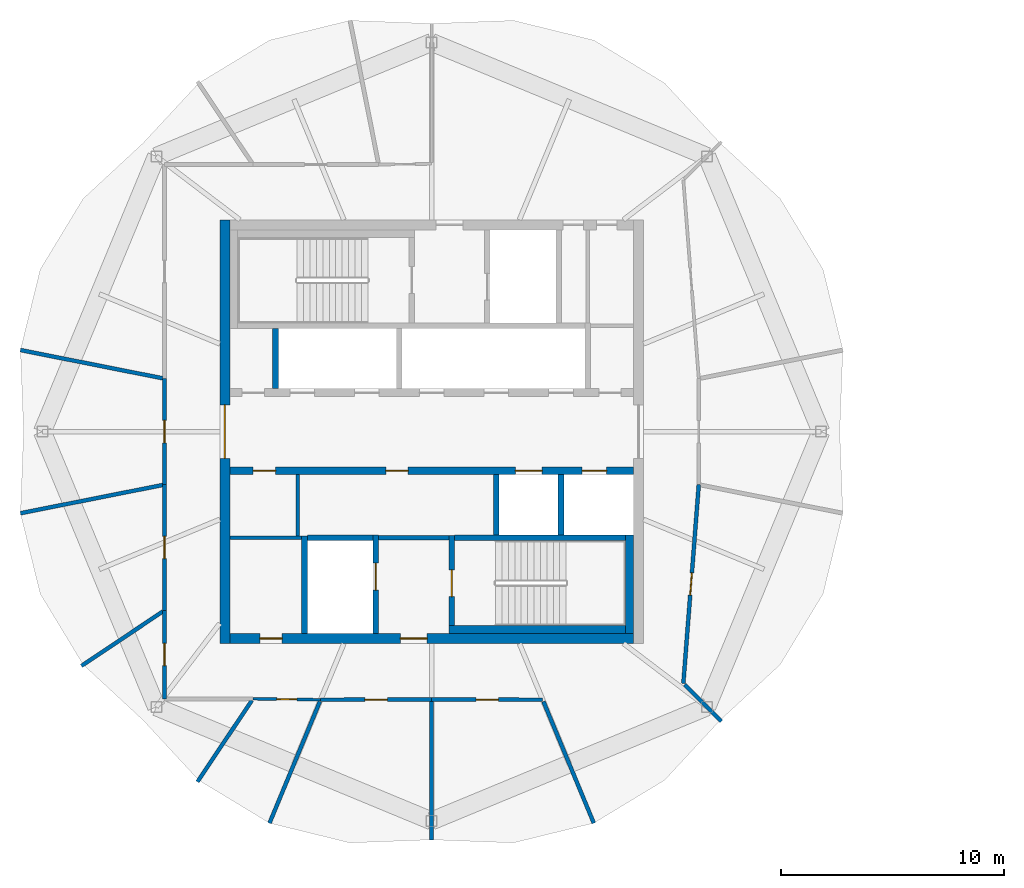
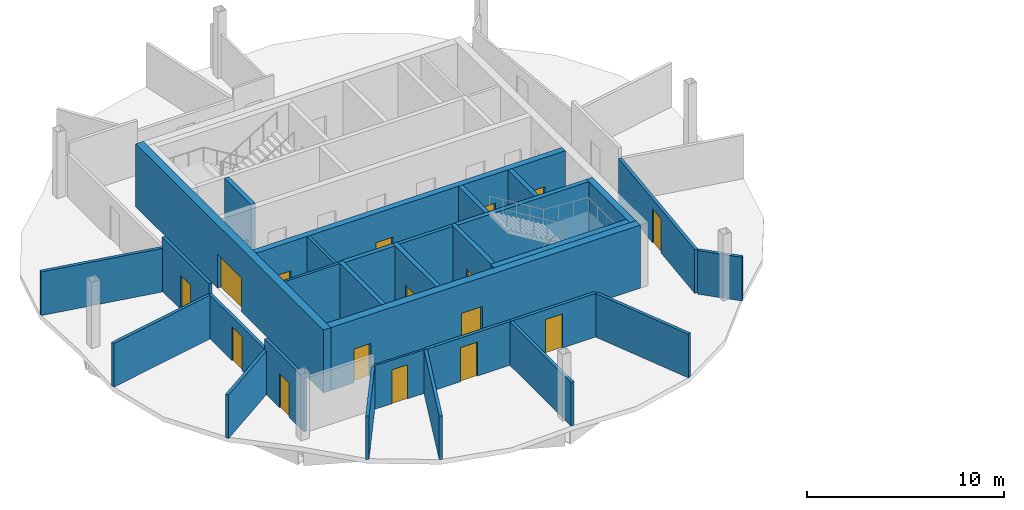
# One storey, part 5 of 11: 31 walls, 16 doors, 16 openings.
"""IFC4 building model written with IfcOpenShell, lengths in metres."""

import ifcopenshell
import ifcopenshell.guid

model = None  # the IFC model being written
_history = None  # IfcOwnerHistory: only IFC2X3 demands one
_inside = {}  # id of a spatial element -> (the spatial element, [elements in it])
_under = {}  # id of a project, library or spatial element -> (it, [spatial elements below it])
_declared = {}  # id of a project -> (the project, [libraries it declares])
_typed = {}  # id of a type object -> (the type object, [elements of that type])
_made_of = {}  # id of a material, layer set ... -> (it, [elements and type objects made of it])


def new_model(schema):
    """Start an empty IFC model of exactly this schema.

    Asked for "IFC4X3", IfcOpenShell would pick the latest addendum, in which some entities
    have other attributes; the version numbers below select the first issue.
    IFC2X3 requires an IfcOwnerHistory on every rooted entity: one is made here for all.
    """
    global model, _history
    if schema == "IFC4X3":
        model = ifcopenshell.file(schema_version=(4, 3, 0, 0))
    else:
        model = ifcopenshell.file(schema=schema)
    _inside.clear()
    _under.clear()
    _declared.clear()
    _typed.clear()
    _made_of.clear()
    _history = None
    if model.schema == "IFC2X3":
        org = make("IfcOrganization", Name="unknown")
        user = make(
            "IfcPersonAndOrganization",
            ThePerson=make("IfcPerson", FamilyName="unknown"),
            TheOrganization=org,
        )
        app = make(
            "IfcApplication",
            ApplicationDeveloper=org,
            Version="unknown",
            ApplicationFullName="unknown",
            ApplicationIdentifier="unknown",
        )
        _history = make(
            "IfcOwnerHistory",
            OwningUser=user,
            OwningApplication=app,
            ChangeAction="ADDED",
            CreationDate=0,
        )
    return model


def make(cls, **values):
    """One entity of the class cls with the attributes given. An attribute that is None is left unset."""
    return model.create_entity(
        cls, **{name: value for name, value in values.items() if value is not None}
    )


def rooted(cls, **values):
    """An entity with a GlobalId (a new one), such as an element, a storey or a relation."""
    return make(cls, GlobalId=ifcopenshell.guid.new(), OwnerHistory=_history, **values)


def si_unit(unit_type, name, prefix=None):
    """IfcSIUnit, for example si_unit("LENGTHUNIT", "METRE", prefix="MILLI")."""
    return make("IfcSIUnit", UnitType=unit_type, Prefix=prefix, Name=name)


def assignment(units):
    """IfcUnitAssignment: the units of a project."""
    return None if units is None else make("IfcUnitAssignment", Units=units)


def point(xyz):
    """IfcCartesianPoint."""
    return None if xyz is None else make("IfcCartesianPoint", Coordinates=xyz)


def direction(xyz):
    """IfcDirection."""
    return None if xyz is None else make("IfcDirection", DirectionRatios=xyz)


def frame(location, z_axis=None, x_axis=None):
    """IfcAxis2Placement3D, a coordinate frame: its origin and axes. An axis left out is left unset."""
    return make(
        "IfcAxis2Placement3D",
        Location=point(location),
        Axis=direction(z_axis),
        RefDirection=direction(x_axis),
    )


def frame_2d(location, x_axis=None):
    """IfcAxis2Placement2D, a coordinate frame in the plane: its origin and x axis."""
    return make(
        "IfcAxis2Placement2D", Location=point(location), RefDirection=direction(x_axis)
    )


def origin():
    """The frame at (0, 0, 0) with its axes left unset."""
    return frame((0.0, 0.0, 0.0))


def place(relative_to, where):
    """IfcLocalPlacement: puts the frame where relative to a parent placement (None: the world)."""
    return make(
        "IfcLocalPlacement", PlacementRelTo=relative_to, RelativePlacement=where
    )


def context(
    kind, dimensions, precision=None, world=None, true_north=None, identifier=None
):
    """IfcGeometricRepresentationContext, for example the 3D "Model" context."""
    return make(
        "IfcGeometricRepresentationContext",
        ContextIdentifier=identifier,
        ContextType=kind,
        CoordinateSpaceDimension=dimensions,
        Precision=precision,
        WorldCoordinateSystem=world,
        TrueNorth=true_north,
    )


def subcontext(parent, identifier, kind, view, scale=None):
    """IfcGeometricRepresentationSubContext, for example "Body" below "Model"."""
    return make(
        "IfcGeometricRepresentationSubContext",
        ContextIdentifier=identifier,
        ContextType=kind,
        ParentContext=parent,
        TargetScale=scale,
        TargetView=view,
    )


def project(units=None, contexts=None):
    """IfcProject with its units and contexts."""
    return rooted(
        "IfcProject",
        Name="project",
        RepresentationContexts=contexts,
        UnitsInContext=assignment(units),
    )


def spatial(cls, under=None, at=None, **own):
    """A site, building, storey or space (cls), placed at a placement, below another one or the project."""
    s = rooted(cls, ObjectPlacement=at, **own)
    if under is not None:
        _under.setdefault(under.id(), (under, []))[1].append(s)
    return s


def profile(cls, at=None, kind="AREA", **sizes):
    """A parametric profile (cls). Its sizes go by their IFC names, for example OverallWidth=200.0."""
    return make(cls, ProfileType=kind, Position=at, **sizes)


def rectangle(**sizes):
    """IfcRectangleProfileDef."""
    return profile("IfcRectangleProfileDef", **sizes)


def extrude(swept, where, along, depth):
    """IfcExtrudedAreaSolid: the profile swept, set in the frame where, extruded along a direction by depth."""
    return make(
        "IfcExtrudedAreaSolid",
        SweptArea=swept,
        Position=where,
        ExtrudedDirection=direction(along),
        Depth=depth,
    )


def shape(context_of_items, identifier, shape_type, items):
    """IfcShapeRepresentation: the items that make up one representation, for example the "Body"."""
    return make(
        "IfcShapeRepresentation",
        ContextOfItems=context_of_items,
        RepresentationIdentifier=identifier,
        RepresentationType=shape_type,
        Items=items,
    )


def material(Name=None, Category=None):
    """IfcMaterial."""
    return make("IfcMaterial", Name=Name, Category=Category)


def layer(
    of_material, thickness, ventilated=None, Name=None, Category=None, Priority=None
):
    """IfcMaterialLayer: one layer of a wall or slab, of a material (None: an air gap)."""
    return make(
        "IfcMaterialLayer",
        Material=of_material,
        LayerThickness=thickness,
        IsVentilated=ventilated,
        Name=Name,
        Category=Category,
        Priority=Priority,
    )


def layer_set(layers, Name=None):
    """IfcMaterialLayerSet."""
    return make("IfcMaterialLayerSet", MaterialLayers=layers, LayerSetName=Name)


def made_of(thing, what):
    """Note that an element or type object is made of a material, layer set ...; save() writes the relation."""
    if what is not None:
        _made_of.setdefault(what.id(), (what, []))[1].append(thing)
    return thing


def type_object(cls, material=None, **own):
    """A type object (cls), such as IfcWallType, which elements share."""
    return made_of(rooted(cls, **own), material)


def element(
    cls,
    number,
    at=None,
    inside=None,
    cuts=None,
    type_object=None,
    material=None,
    context=None,
    identifier="Body",
    shape_type=None,
    held_by="IfcProductDefinitionShape",
    body=None,
    shapes=None,
    **own,
):
    """One element of the class cls, such as IfcWall. Its Tag is "e" and its number.

    at: its placement. inside: the storey or other place that contains it. cuts: it is an
    opening in that element (IfcRelVoidsElement). A single representation is given by context,
    identifier, shape_type and body (its items); several are given by shapes. held_by: the class
    of the entity that holds the representations. save() writes the other relations.
    """
    e = rooted(cls, Tag="e%d" % number, ObjectPlacement=at, **own)
    if body is not None:
        shapes = [shape(context, identifier, shape_type, body)]
    if shapes is not None:
        e.Representation = make(held_by, Representations=shapes)
    if inside is not None:
        _inside.setdefault(inside.id(), (inside, []))[1].append(e)
    if cuts is not None:
        rooted(
            "IfcRelVoidsElement", RelatingBuildingElement=cuts, RelatedOpeningElement=e
        )
    if type_object is not None:
        _typed.setdefault(type_object.id(), (type_object, []))[1].append(e)
    return made_of(e, material)


def fill(opening, filler):
    """IfcRelFillsElement: the door or window that sits in an opening."""
    return rooted(
        "IfcRelFillsElement",
        RelatingOpeningElement=opening,
        RelatedBuildingElement=filler,
    )


def aggregate(whole, parts):
    """IfcRelAggregates: a whole, such as a stair, and the parts it consists of."""
    return rooted("IfcRelAggregates", RelatingObject=whole, RelatedObjects=parts)


def save(model, path):
    """Write the relations noted so far, then the file.

    IfcRelAggregates (storeys below a building ...), IfcRelContainedInSpatialStructure (elements
    in a storey), IfcRelDefinesByType, IfcRelAssociatesMaterial and IfcRelDeclares: one each for
    every whole, place, type object, material and project.
    """
    for whole, parts in _under.values():
        aggregate(whole, parts)
    for where, things in _inside.values():
        rooted(
            "IfcRelContainedInSpatialStructure",
            RelatedElements=things,
            RelatingStructure=where,
        )
    for kind, things in _typed.values():
        rooted("IfcRelDefinesByType", RelatedObjects=things, RelatingType=kind)
    for what, things in _made_of.values():
        rooted("IfcRelAssociatesMaterial", RelatedObjects=things, RelatingMaterial=what)
    for by, libraries in _declared.values():
        rooted("IfcRelDeclares", RelatingContext=by, RelatedDefinitions=libraries)
    model.write(path)


model = new_model("IFC4")

# Units and contexts
model_context = context("Model", 3, precision=1e-05, world=origin(), true_north=direction((0.0, 1.0)))
body_context = subcontext(model_context, "Body", "Model", "MODEL_VIEW")
ifc_project = project(units=[si_unit("LENGTHUNIT", "METRE"), si_unit("AREAUNIT", "SQUARE_METRE"), si_unit("VOLUMEUNIT", "CUBIC_METRE"), si_unit("PLANEANGLEUNIT", "RADIAN"), si_unit("MASSUNIT", "GRAM", prefix="KILO")], contexts=[model_context])

# Site, building, storey
site_placement = place(None, origin())
site = spatial("IfcSite", under=ifc_project, at=site_placement, CompositionType="ELEMENT")
building_placement = place(site_placement, origin())
building = spatial("IfcBuilding", under=site, at=building_placement, Name="Ogive Gate Towers", CompositionType="ELEMENT")
storey_placement = place(building_placement, frame((0.0, 0.0, 289.800048828125)))
storey = spatial("IfcBuildingStorey", under=building, at=storey_placement, Name="L68", CompositionType="ELEMENT", Elevation=289.800048828125)

# Walls
ifc_material_1 = material(Name="Gypsum board acoustic partition")
ifc_layer_1 = layer(ifc_material_1, 0.175048828125)
ifc_layer_set_1 = layer_set([ifc_layer_1], Name="Acoustic partition 175")
wall_type_1 = type_object("IfcWallType", Name="Acoustic partition 175", PredefinedType="PARTITIONING", material=ifc_layer_set_1)
for number, where, z_axis, x_axis, name in (
    (1, (-54.440185546875, 3.658203125, 0.0), (0.0, 0.0, 1.0), (0.980884237162, -0.1945921717, 0.0), "Partition T1-L68-006"),
    (2, (-54.440185546875, -3.658203125, 0.0), (0.0, 0.0, 1.0), (0.980884237162, 0.1945921717, 0.0), "Partition T1-L68-007"),
):
    element("IfcWall", number, at=place(storey_placement, frame(where, z_axis=z_axis, x_axis=x_axis)), inside=storey, type_object=wall_type_1, Name=name, PredefinedType="PARTITIONING", context=body_context, shape_type="SweptSolid", body=[
        extrude(rectangle(XDim=6.50146484375, YDim=0.175048828125, at=frame_2d((3.250732421875, 0.0))), origin(), (0.0, 0.0, 1.0), 2.699951171875),
    ])
for number, where, z_axis, x_axis, name in (
    (3, (-51.700439453125, -10.502197265625, 0.0), (0.0, 0.0, 1.0), (0.831193947299, 0.555982573444, 0.0), "Partition T1-L68-008"),
    (4, (-46.502197265625, -15.700439453125, 0.0), (0.0, 0.0, 1.0), (0.555982573444, 0.831193947299, 0.0), "Partition T1-L68-009"),
):
    element("IfcWall", number, at=place(storey_placement, frame(where, z_axis=z_axis, x_axis=x_axis)), inside=storey, type_object=wall_type_1, Name=name, PredefinedType="PARTITIONING", context=body_context, shape_type="SweptSolid", body=[
        extrude(rectangle(XDim=4.39111328125, YDim=0.175048828125, at=frame_2d((2.195556640625, 0.0))), origin(), (0.0, 0.0, 1.0), 2.699951171875),
    ])
wall_1_placement = place(storey_placement, frame((-43.27099609375, -17.553955078125, 0.0), z_axis=(0.0, 0.0, 1.0), x_axis=(0.382661134108, 0.923888768436, 0.0)))
element("IfcWall", 5, at=wall_1_placement, inside=storey, type_object=wall_type_1, Name="Partition T1-L68-010", PredefinedType="PARTITIONING", context=body_context, shape_type="SweptSolid", body=[
    extrude(rectangle(XDim=5.901611328125, YDim=0.175048828125, at=frame_2d((2.95068359375, 0.0))), origin(), (0.0, 0.0, 1.0), 2.699951171875),
])
wall_2_placement = place(storey_placement, frame((-36.0, -18.299072265625, 0.0), z_axis=(0.0, 0.0, 1.0), x_axis=(0.0, 1.0, 0.0)))
element("IfcWall", 6, at=wall_2_placement, inside=storey, type_object=wall_type_1, Name="Partition T1-L68-011", PredefinedType="PARTITIONING", context=body_context, shape_type="SweptSolid", body=[
    extrude(rectangle(XDim=6.201416015625, YDim=0.175048828125, at=frame_2d((3.1005859375, 0.0))), origin(), (0.0, 0.0, 1.0), 2.699951171875),
])
wall_3_placement = place(storey_placement, frame((-28.72900390625, -17.553955078125, 0.0), z_axis=(0.0, 0.0, 1.0), x_axis=(-0.382661134108, 0.923888768436, 0.0)))
element("IfcWall", 7, at=wall_3_placement, inside=storey, type_object=wall_type_1, Name="Partition T1-L68-012", PredefinedType="PARTITIONING", context=body_context, shape_type="SweptSolid", body=[
    extrude(rectangle(XDim=5.901611328125, YDim=0.175048828125, at=frame_2d((2.95068359375, 0.0))), origin(), (0.0, 0.0, 1.0), 2.699951171875),
])
wall_4_placement = place(storey_placement, frame((-23.005126953125, -12.994873046875, 0.0), z_axis=(0.0, 0.0, 1.0), x_axis=(-0.707106781187, 0.707106781187, 0.0)))
element("IfcWall", 8, at=wall_4_placement, inside=storey, type_object=wall_type_1, Name="Partition T1-L68-013", PredefinedType="PARTITIONING", context=body_context, shape_type="SweptSolid", body=[
    extrude(rectangle(XDim=2.329833984375, YDim=0.175048828125, at=frame_2d((1.1650390625, 0.0))), origin(), (0.0, 0.0, 1.0), 2.699951171875),
])

# Wall, opening, door
wall_5_placement = place(storey_placement, frame((-40.979248046875, -12.020751953125, 0.0), z_axis=(0.0, 0.0, 1.0), x_axis=(0.999997672839, 0.002157386497, 0.0)))
wall_5 = element("IfcWall", 9, at=wall_5_placement, inside=storey, type_object=wall_type_1, Name="Partition T1-L68-016", PredefinedType="PARTITIONING", context=body_context, shape_type="SweptSolid", body=[
    extrude(rectangle(XDim=4.979248046875, YDim=0.175048828125, at=frame_2d((2.48974609375, 0.0))), origin(), (0.0, 0.0, 1.0), 2.699951171875),
])
opening_1_placement = place(wall_5_placement, frame((1.989990234375, 0.0, 0.0)))
opening_1 = element("IfcOpeningElement", 10, at=opening_1_placement, cuts=wall_5, Name="Opening T1-L68-D02", PredefinedType="OPENING", context=body_context, shape_type="SweptSolid", body=[
    extrude(rectangle(XDim=1.0, YDim=2.10009765625, at=frame_2d((0.5, 1.050048828125))), frame((0.0, 0.09765625, 0.0), z_axis=(0.0, -1.0, 0.0), x_axis=(1.0, 0.0, 0.0)), (0.0, 0.0, 1.0), 0.195068359375),
])
ifc_material_2 = material(Name="Timber door", Category="wood")
door_type_1 = type_object("IfcDoorType", Name="Door 1000", OperationType="NOTDEFINED", PredefinedType="DOOR", material=ifc_material_2)
door_1_placement = place(opening_1_placement, origin())
door_1 = element("IfcDoor", 11, at=door_1_placement, inside=storey, type_object=door_type_1, Name="Door T1-L68-D02", OperationType="SINGLE_SWING_LEFT", OverallHeight=2.10009765625, OverallWidth=1.0, PredefinedType="DOOR", context=body_context, shape_type="SweptSolid", body=[
    extrude(rectangle(XDim=1.0, YDim=2.10009765625, at=frame_2d((0.5, 1.050048828125))), frame((0.0, 0.02490234375, 0.0), z_axis=(0.0, -1.0, 0.0), x_axis=(1.0, 0.0, 0.0)), (0.0, 0.0, 1.0), 0.050048828125),
])
fill(opening_1, door_1)

wall_6_placement = place(storey_placement, frame((-36.0, -12.010009765625, 0.0), z_axis=(0.0, 0.0, 1.0), x_axis=(0.999997672839, -0.002157386497, 0.0)))
wall_6 = element("IfcWall", 12, at=wall_6_placement, inside=storey, type_object=wall_type_1, Name="Partition T1-L68-017", PredefinedType="PARTITIONING", context=body_context, shape_type="SweptSolid", body=[
    extrude(rectangle(XDim=4.979248046875, YDim=0.175048828125, at=frame_2d((2.48974609375, 0.0))), origin(), (0.0, 0.0, 1.0), 2.699951171875),
])
opening_2_placement = place(wall_6_placement, frame((1.989990234375, 0.0, 0.0)))
opening_2 = element("IfcOpeningElement", 13, at=opening_2_placement, cuts=wall_6, Name="Opening T1-L68-D03", PredefinedType="OPENING", context=body_context, shape_type="SweptSolid", body=[
    extrude(rectangle(XDim=1.0, YDim=2.10009765625, at=frame_2d((0.5, 1.050048828125))), frame((0.0, 0.09765625, 0.0), z_axis=(0.0, -1.0, 0.0), x_axis=(1.0, 0.0, 0.0)), (0.0, 0.0, 1.0), 0.195068359375),
])
door_2_placement = place(opening_2_placement, origin())
door_2 = element("IfcDoor", 14, at=door_2_placement, inside=storey, type_object=door_type_1, Name="Door T1-L68-D03", OperationType="SINGLE_SWING_RIGHT", OverallHeight=2.10009765625, OverallWidth=1.0, PredefinedType="DOOR", context=body_context, shape_type="SweptSolid", body=[
    extrude(rectangle(XDim=1.0, YDim=2.10009765625, at=frame_2d((0.5, 1.050048828125))), frame((0.0, 0.02490234375, 0.0), z_axis=(0.0, -1.0, 0.0), x_axis=(1.0, 0.0, 0.0)), (0.0, 0.0, 1.0), 0.050048828125),
])
fill(opening_2, door_2)

wall_7_placement = place(storey_placement, frame((-24.714599609375, -11.285400390625, 0.0), z_axis=(0.0, 0.0, 1.0), x_axis=(0.077400559518, 0.997000076924, 0.0)))
wall_7 = element("IfcWall", 15, at=wall_7_placement, inside=storey, type_object=wall_type_1, Name="Partition T1-L68-018", PredefinedType="PARTITIONING", context=body_context, shape_type="SweptSolid", body=[
    extrude(rectangle(XDim=8.93603515625, YDim=0.175048828125, at=frame_2d((4.468017578125, 0.0))), origin(), (0.0, 0.0, 1.0), 2.699951171875),
])
opening_3_placement = place(wall_7_placement, frame((3.968017578125, 0.0, 0.0)))
opening_3 = element("IfcOpeningElement", 16, at=opening_3_placement, cuts=wall_7, Name="Opening T1-L68-D04", PredefinedType="OPENING", context=body_context, shape_type="SweptSolid", body=[
    extrude(rectangle(XDim=1.0, YDim=2.10009765625, at=frame_2d((0.5, 1.050048828125))), frame((0.0, 0.09765625, 0.0), z_axis=(0.0, -1.0, 0.0), x_axis=(1.0, 0.0, 0.0)), (0.0, 0.0, 1.0), 0.195068359375),
])
door_3_placement = place(opening_3_placement, origin())
door_3 = element("IfcDoor", 17, at=door_3_placement, inside=storey, type_object=door_type_1, Name="Door T1-L68-D04", OperationType="SINGLE_SWING_LEFT", OverallHeight=2.10009765625, OverallWidth=1.0, PredefinedType="DOOR", context=body_context, shape_type="SweptSolid", body=[
    extrude(rectangle(XDim=1.0, YDim=2.10009765625, at=frame_2d((0.5, 1.050048828125))), frame((0.0, 0.02490234375, 0.0), z_axis=(0.0, -1.0, 0.0), x_axis=(1.0, 0.0, 0.0)), (0.0, 0.0, 1.0), 0.050048828125),
])
fill(opening_3, door_3)

wall_8_placement = place(storey_placement, frame((-47.97705078125, 2.376220703125, 0.0), z_axis=(0.0, 0.0, 1.0), x_axis=(0.0, -1.0, 0.0)))
wall_8 = element("IfcWall", 18, at=wall_8_placement, inside=storey, type_object=wall_type_1, Name="Partition T1-L68-025", PredefinedType="PARTITIONING", context=body_context, shape_type="SweptSolid", body=[
    extrude(rectangle(XDim=4.75244140625, YDim=0.175048828125, at=frame_2d((2.376220703125, 0.0))), origin(), (0.0, 0.0, 1.0), 3.349853515625),
])
opening_4_placement = place(wall_8_placement, frame((1.8759765625, 0.0, 0.0)))
opening_4 = element("IfcOpeningElement", 19, at=opening_4_placement, cuts=wall_8, Name="Opening T1-L68-D10", PredefinedType="OPENING", context=body_context, shape_type="SweptSolid", body=[
    extrude(rectangle(XDim=1.0, YDim=2.10009765625, at=frame_2d((0.5, 1.050048828125))), frame((0.0, 0.09765625, 0.0), z_axis=(0.0, -1.0, 0.0), x_axis=(1.0, 0.0, 0.0)), (0.0, 0.0, 1.0), 0.195068359375),
])
door_4_placement = place(opening_4_placement, origin())
door_4 = element("IfcDoor", 20, at=door_4_placement, inside=storey, type_object=door_type_1, Name="Door T1-L68-D10", OperationType="SINGLE_SWING_LEFT", OverallHeight=2.10009765625, OverallWidth=1.0, PredefinedType="DOOR", context=body_context, shape_type="SweptSolid", body=[
    extrude(rectangle(XDim=1.0, YDim=2.10009765625, at=frame_2d((0.5, 1.050048828125))), frame((0.0, 0.02490234375, 0.0), z_axis=(0.0, -1.0, 0.0), x_axis=(1.0, 0.0, 0.0)), (0.0, 0.0, 1.0), 0.050048828125),
])
fill(opening_4, door_4)

wall_9_placement = place(storey_placement, frame((-47.97705078125, -2.376220703125, 0.0), z_axis=(0.0, 0.0, 1.0), x_axis=(-0.000129954515, -0.999999991556, 0.0)))
wall_9 = element("IfcWall", 21, at=wall_9_placement, inside=storey, type_object=wall_type_1, Name="Partition T1-L68-026", PredefinedType="PARTITIONING", context=body_context, shape_type="SweptSolid", body=[
    extrude(rectangle(XDim=5.635986328125, YDim=0.175048828125, at=frame_2d((2.81787109375, 0.0))), origin(), (0.0, 0.0, 1.0), 2.699951171875),
])
opening_5_placement = place(wall_9_placement, frame((2.318115234375, 0.0, 0.0)))
opening_5 = element("IfcOpeningElement", 22, at=opening_5_placement, cuts=wall_9, Name="Opening T1-L68-D11", PredefinedType="OPENING", context=body_context, shape_type="SweptSolid", body=[
    extrude(rectangle(XDim=1.0, YDim=2.10009765625, at=frame_2d((0.5, 1.050048828125))), frame((0.0, 0.09765625, 0.0), z_axis=(0.0, -1.0, 0.0), x_axis=(1.0, 0.0, 0.0)), (0.0, 0.0, 1.0), 0.195068359375),
])
door_5_placement = place(opening_5_placement, origin())
door_5 = element("IfcDoor", 23, at=door_5_placement, inside=storey, type_object=door_type_1, Name="Door T1-L68-D11", OperationType="SINGLE_SWING_RIGHT", OverallHeight=2.10009765625, OverallWidth=1.0, PredefinedType="DOOR", context=body_context, shape_type="SweptSolid", body=[
    extrude(rectangle(XDim=1.0, YDim=2.10009765625, at=frame_2d((0.5, 1.050048828125))), frame((0.0, 0.02490234375, 0.0), z_axis=(0.0, -1.0, 0.0), x_axis=(1.0, 0.0, 0.0)), (0.0, 0.0, 1.0), 0.050048828125),
])
fill(opening_5, door_5)

wall_10_placement = place(storey_placement, frame((-47.977783203125, -8.01220703125, 0.0), z_axis=(0.0, 0.0, 1.0), x_axis=(-0.000553777912, -0.999999846665, 0.0)))
wall_10 = element("IfcWall", 24, at=wall_10_placement, inside=storey, type_object=wall_type_1, Name="Partition T1-L68-027", PredefinedType="PARTITIONING", context=body_context, shape_type="SweptSolid", body=[
    extrude(rectangle(XDim=3.9677734375, YDim=0.175048828125, at=frame_2d((1.98388671875, 0.0))), origin(), (0.0, 0.0, 1.0), 3.349853515625),
])
opening_6_placement = place(wall_10_placement, frame((1.48388671875, 0.0, 0.0)))
opening_6 = element("IfcOpeningElement", 25, at=opening_6_placement, cuts=wall_10, Name="Opening T1-L68-D12", PredefinedType="OPENING", context=body_context, shape_type="SweptSolid", body=[
    extrude(rectangle(XDim=1.0, YDim=2.10009765625, at=frame_2d((0.5, 1.050048828125))), frame((0.0, 0.09765625, 0.0), z_axis=(0.0, -1.0, 0.0), x_axis=(1.0, 0.0, 0.0)), (0.0, 0.0, 1.0), 0.195068359375),
])
door_6_placement = place(opening_6_placement, origin())
door_6 = element("IfcDoor", 26, at=door_6_placement, inside=storey, type_object=door_type_1, Name="Door T1-L68-D12", OperationType="SINGLE_SWING_RIGHT", OverallHeight=2.10009765625, OverallWidth=1.0, PredefinedType="DOOR", context=body_context, shape_type="SweptSolid", body=[
    extrude(rectangle(XDim=1.0, YDim=2.10009765625, at=frame_2d((0.5, 1.050048828125))), frame((0.0, 0.02490234375, 0.0), z_axis=(0.0, -1.0, 0.0), x_axis=(1.0, 0.0, 0.0)), (0.0, 0.0, 1.0), 0.050048828125),
])
fill(opening_6, door_6)

# Wall
ifc_material_3 = material(Name="Masonry blockwork", Category="masonry")
ifc_layer_2 = layer(ifc_material_3, 0.199951171875)
ifc_layer_set_2 = layer_set([ifc_layer_2], Name="Blockwork wall 200 mm")
wall_type_2 = type_object("IfcWallType", Name="Blockwork wall 200 mm", PredefinedType="PARTITIONING", material=ifc_layer_set_2)
wall_11_placement = place(storey_placement, frame((-38.375, -4.75, 0.0), z_axis=(0.0, 0.0, 1.0), x_axis=(1.0, 0.0, 0.0)))
element("IfcWall", 27, at=wall_11_placement, inside=storey, type_object=wall_type_2, Name="T1 L68 Blockwork wall 200 mm", PredefinedType="PARTITIONING", context=body_context, shape_type="SweptSolid", body=[
    extrude(rectangle(XDim=3.14990234375, YDim=0.199951171875, at=frame_2d((1.574951171875, 0.0))), origin(), (0.0, 0.0, 1.0), 3.89990234375),
])

# Wall, openings, doors
ifc_material_4 = material(Name="Concrete C60/75", Category="concrete")
ifc_layer_3 = layer(ifc_material_4, 0.449951171875)
ifc_layer_set_3 = layer_set([ifc_layer_3], Name="Core wall 450 mm")
wall_type_3 = type_object("IfcWallType", Name="Core wall 450 mm", PredefinedType="SHEAR", material=ifc_layer_set_3)
wall_12_placement = place(storey_placement, frame((-45.050048828125, -9.27490234375, 0.0), z_axis=(0.0, 0.0, 1.0), x_axis=(1.0, 0.0, 0.0)))
wall_12 = element("IfcWall", 28, at=wall_12_placement, inside=storey, type_object=wall_type_3, Name="T1 L68 Core wall 450 mm", PredefinedType="SHEAR", context=body_context, shape_type="SweptSolid", body=[
    extrude(rectangle(XDim=18.10009765625, YDim=0.449951171875, at=frame_2d((9.050048828125, 0.0))), origin(), (0.0, 0.0, 1.0), 3.89990234375),
])
opening_7_placement = place(wall_12_placement, frame((7.64990234375, 0.0, 0.0)))
opening_7 = element("IfcOpeningElement", 29, at=opening_7_placement, cuts=wall_12, Name="Opening KD-T1-L68-19", PredefinedType="OPENING", context=body_context, shape_type="SweptSolid", body=[
    extrude(rectangle(XDim=1.199951171875, YDim=2.10009765625, at=frame_2d((0.60009765625, 1.050048828125))), frame((0.0, 0.23486328125, 0.0), z_axis=(0.0, -1.0, 0.0), x_axis=(1.0, 0.0, 0.0)), (0.0, 0.0, 1.0), 0.469970703125),
])
opening_8_placement = place(wall_12_placement, frame((1.35009765625, 0.0, 0.0)))
opening_8 = element("IfcOpeningElement", 30, at=opening_8_placement, cuts=wall_12, Name="Opening KD-T1-L68-22", PredefinedType="OPENING", context=body_context, shape_type="SweptSolid", body=[
    extrude(rectangle(XDim=1.0, YDim=2.10009765625, at=frame_2d((0.5, 1.050048828125))), frame((0.0, 0.23486328125, 0.0), z_axis=(0.0, -1.0, 0.0), x_axis=(1.0, 0.0, 0.0)), (0.0, 0.0, 1.0), 0.469970703125),
])
door_type_2 = type_object("IfcDoorType", Name="Accessible WC door 1000 x 2100", OperationType="NOTDEFINED", PredefinedType="DOOR", material=ifc_material_2)
door_7_placement = place(opening_8_placement, origin())
door_7 = element("IfcDoor", 31, at=door_7_placement, inside=storey, type_object=door_type_2, Name="T1 L68 Core door", OperationType="SINGLE_SWING_LEFT", OverallHeight=2.10009765625, OverallWidth=1.0, PredefinedType="DOOR", context=body_context, shape_type="SweptSolid", body=[
    extrude(rectangle(XDim=1.0, YDim=2.10009765625, at=frame_2d((0.5, 1.050048828125))), frame((0.0, 0.02490234375, 0.0), z_axis=(0.0, -1.0, 0.0), x_axis=(1.0, 0.0, 0.0)), (0.0, 0.0, 1.0), 0.050048828125),
])
fill(opening_8, door_7)
ifc_material_5 = material(Name="Steel fire door", Category="steel")
door_type_3 = type_object("IfcDoorType", Name="Core door FD60S 1200 x 2100", OperationType="NOTDEFINED", PredefinedType="DOOR", material=ifc_material_5)
door_8_placement = place(opening_7_placement, origin())
door_8 = element("IfcDoor", 32, at=door_8_placement, inside=storey, type_object=door_type_3, Name="T1 L68 Fire-fighting lobby door", OperationType="SINGLE_SWING_RIGHT", OverallHeight=2.10009765625, OverallWidth=1.199951171875, PredefinedType="DOOR", context=body_context, shape_type="SweptSolid", body=[
    extrude(rectangle(XDim=1.199951171875, YDim=2.10009765625, at=frame_2d((0.60009765625, 1.050048828125))), frame((0.0, 0.02490234375, 0.0), z_axis=(0.0, -1.0, 0.0), x_axis=(1.0, 0.0, 0.0)), (0.0, 0.0, 1.0), 0.050048828125),
])
fill(opening_7, door_8)

# Wall, opening, door
wall_13_placement = place(storey_placement, frame((-45.27490234375, -9.5, 0.0), z_axis=(0.0, 0.0, 1.0), x_axis=(0.0, 1.0, 0.0)))
wall_13 = element("IfcWall", 33, at=wall_13_placement, inside=storey, type_object=wall_type_3, Name="T1 L68 Core wall 450 mm", PredefinedType="SHEAR", context=body_context, shape_type="SweptSolid", body=[
    extrude(rectangle(XDim=19.0, YDim=0.449951171875, at=frame_2d((9.5, 0.0))), origin(), (0.0, 0.0, 1.0), 3.89990234375),
])
opening_9_placement = place(wall_13_placement, frame((8.300048828125, 0.0, 0.0)))
opening_9 = element("IfcOpeningElement", 34, at=opening_9_placement, cuts=wall_13, Name="Opening KD-T1-L68-01", PredefinedType="OPENING", context=body_context, shape_type="SweptSolid", body=[
    extrude(rectangle(XDim=2.39990234375, YDim=2.10009765625, at=frame_2d((1.199951171875, 1.050048828125))), frame((0.0, 0.23486328125, 0.0), z_axis=(0.0, -1.0, 0.0), x_axis=(1.0, 0.0, 0.0)), (0.0, 0.0, 1.0), 0.469970703125),
])
door_type_4 = type_object("IfcDoorType", Name="Core double door FD60S 2400 x 2100", OperationType="DOUBLE_DOOR_SINGLE_SWING", PredefinedType="DOOR", material=ifc_material_5)
door_9_placement = place(opening_9_placement, origin())
door_9 = element("IfcDoor", 35, at=door_9_placement, inside=storey, type_object=door_type_4, Name="T1 L68 Core door double", OperationType="DOUBLE_DOOR_SINGLE_SWING", OverallHeight=2.10009765625, OverallWidth=2.39990234375, PredefinedType="DOOR", context=body_context, shape_type="SweptSolid", body=[
    extrude(rectangle(XDim=2.39990234375, YDim=2.10009765625, at=frame_2d((1.199951171875, 1.050048828125))), frame((0.0, 0.02490234375, 0.0), z_axis=(0.0, -1.0, 0.0), x_axis=(1.0, 0.0, 0.0)), (0.0, 0.0, 1.0), 0.050048828125),
])
fill(opening_9, door_9)

ifc_material_6 = material(Name="Gypsum board partition")
ifc_layer_4 = layer(ifc_material_6, 0.125)
ifc_layer_set_4 = layer_set([ifc_layer_4], Name="Partition 125")
wall_type_4 = type_object("IfcWallType", Name="Partition 125", PredefinedType="PARTITIONING", material=ifc_layer_set_4)
wall_14_placement = place(storey_placement, frame((-44.01220703125, -11.977783203125, 0.0), z_axis=(0.0, 0.0, 1.0), x_axis=(0.999899659329, -0.014165848832, 0.0)))
wall_14 = element("IfcWall", 36, at=wall_14_placement, inside=storey, type_object=wall_type_4, Name="Partition T1-L68-015", PredefinedType="PARTITIONING", context=body_context, shape_type="SweptSolid", body=[
    extrude(rectangle(XDim=3.033203125, YDim=0.125, at=frame_2d((1.5166015625, 0.0))), origin(), (0.0, 0.0, 1.0), 2.699951171875),
])
opening_10_placement = place(wall_14_placement, frame((1.06689453125, 0.0, 0.0)))
opening_10 = element("IfcOpeningElement", 37, at=opening_10_placement, cuts=wall_14, Name="Opening T1-L68-D01", PredefinedType="OPENING", context=body_context, shape_type="SweptSolid", body=[
    extrude(rectangle(XDim=0.89990234375, YDim=2.10009765625, at=frame_2d((0.449951171875, 1.050048828125))), frame((0.0, 0.072509765625, 0.0), z_axis=(0.0, -1.0, 0.0), x_axis=(1.0, 0.0, 0.0)), (0.0, 0.0, 1.0), 0.14501953125),
])
door_type_5 = type_object("IfcDoorType", Name="Door 900", OperationType="NOTDEFINED", PredefinedType="DOOR", material=ifc_material_2)
door_10_placement = place(opening_10_placement, origin())
door_10 = element("IfcDoor", 38, at=door_10_placement, inside=storey, type_object=door_type_5, Name="Door T1-L68-D01", OperationType="SINGLE_SWING_LEFT", OverallHeight=2.10009765625, OverallWidth=0.89990234375, PredefinedType="DOOR", context=body_context, shape_type="SweptSolid", body=[
    extrude(rectangle(XDim=0.89990234375, YDim=2.10009765625, at=frame_2d((0.449951171875, 1.050048828125))), frame((0.0, 0.02490234375, 0.0), z_axis=(0.0, -1.0, 0.0), x_axis=(1.0, 0.0, 0.0)), (0.0, 0.0, 1.0), 0.050048828125),
])
fill(opening_10, door_10)

# Walls
ifc_layer_5 = layer(ifc_material_6, 0.14990234375)
ifc_layer_set_5 = layer_set([ifc_layer_5], Name="Room partition 150 mm")
wall_type_5 = type_object("IfcWallType", Name="Room partition 150 mm", PredefinedType="PARTITIONING", material=ifc_layer_set_5)
wall_15_placement = place(storey_placement, frame((-45.050048828125, -4.75, 0.0), z_axis=(0.0, 0.0, 1.0), x_axis=(1.0, 0.0, 0.0)))
element("IfcWall", 39, at=wall_15_placement, inside=storey, type_object=wall_type_5, Name="T1 L68 Room partition 150 mm", PredefinedType="PARTITIONING", context=body_context, shape_type="SweptSolid", body=[
    extrude(rectangle(XDim=3.22509765625, YDim=0.14990234375, at=frame_2d((1.612548828125, 0.0))), origin(), (0.0, 0.0, 1.0), 3.89990234375),
])
wall_16_placement = place(storey_placement, frame((-42.0, -4.675048828125, 0.0), z_axis=(0.0, 0.0, 1.0), x_axis=(0.0, 1.0, 0.0)))
element("IfcWall", 40, at=wall_16_placement, inside=storey, type_object=wall_type_5, Name="T1 L68 Room partition 150 mm", PredefinedType="PARTITIONING", context=body_context, shape_type="SweptSolid", body=[
    extrude(rectangle(XDim=2.75, YDim=0.14990234375, at=frame_2d((1.375, 0.0))), origin(), (0.0, 0.0, 1.0), 3.89990234375),
])
ifc_layer_6 = layer(ifc_material_4, 0.25)
ifc_layer_set_6 = layer_set([ifc_layer_6], Name="Shaft wall 250 mm")
wall_type_6 = type_object("IfcWallType", Name="Shaft wall 250 mm", PredefinedType="SHEAR", material=ifc_layer_set_6)
wall_17_placement = place(storey_placement, frame((-41.574951171875, -4.75, 0.0), z_axis=(0.0, 0.0, 1.0), x_axis=(1.0, 0.0, 0.0)))
element("IfcWall", 41, at=wall_17_placement, inside=storey, type_object=wall_type_6, Name="T1 L68 Shaft wall 250 mm", PredefinedType="SHEAR", context=body_context, shape_type="SweptSolid", body=[
    extrude(rectangle(XDim=2.949951171875, YDim=0.25, at=frame_2d((1.47509765625, 0.0))), origin(), (0.0, 0.0, 1.0), 3.89990234375),
])
wall_18_placement = place(storey_placement, frame((-34.97509765625, -4.75, 0.0), z_axis=(0.0, 0.0, 1.0), x_axis=(1.0, 0.0, 0.0)))
element("IfcWall", 42, at=wall_18_placement, inside=storey, type_object=wall_type_6, Name="T1 L68 Shaft wall 250 mm", PredefinedType="SHEAR", context=body_context, shape_type="SweptSolid", body=[
    extrude(rectangle(XDim=7.675048828125, YDim=0.25, at=frame_2d((3.83740234375, 0.0))), origin(), (0.0, 0.0, 1.0), 3.89990234375),
])
wall_19_placement = place(storey_placement, frame((-43.0, 1.925048828125, 0.0), z_axis=(0.0, 0.0, 1.0), x_axis=(0.0, 1.0, 0.0)))
element("IfcWall", 43, at=wall_19_placement, inside=storey, type_object=wall_type_6, Name="T1 L68 Shaft wall 250 mm", PredefinedType="SHEAR", context=body_context, shape_type="SweptSolid", body=[
    extrude(rectangle(XDim=2.699951171875, YDim=0.25, at=frame_2d((1.35009765625, 0.0))), origin(), (0.0, 0.0, 1.0), 3.89990234375),
])
wall_20_placement = place(storey_placement, frame((-41.699951171875, -9.050048828125, 0.0), z_axis=(0.0, 0.0, 1.0), x_axis=(0.0, 1.0, 0.0)))
element("IfcWall", 44, at=wall_20_placement, inside=storey, type_object=wall_type_6, Name="T1 L68 Shaft wall 250 mm", PredefinedType="SHEAR", context=body_context, shape_type="SweptSolid", body=[
    extrude(rectangle(XDim=4.375, YDim=0.25, at=frame_2d((2.1875, 0.0))), origin(), (0.0, 0.0, 1.0), 3.89990234375),
])

# Wall, opening, door
wall_21_placement = place(storey_placement, frame((-38.5, -9.050048828125, 0.0), z_axis=(0.0, 0.0, 1.0), x_axis=(0.0, 1.0, 0.0)))
wall_21 = element("IfcWall", 45, at=wall_21_placement, inside=storey, type_object=wall_type_6, Name="T1 L68 Shaft wall 250 mm", PredefinedType="SHEAR", context=body_context, shape_type="SweptSolid", body=[
    extrude(rectangle(XDim=4.425048828125, YDim=0.25, at=frame_2d((2.21240234375, 0.0))), origin(), (0.0, 0.0, 1.0), 3.89990234375),
])
opening_11_placement = place(wall_21_placement, frame((1.949951171875, 0.0, 0.0)))
opening_11 = element("IfcOpeningElement", 46, at=opening_11_placement, cuts=wall_21, Name="Opening LD-T1-L68-13", PredefinedType="OPENING", context=body_context, shape_type="SweptSolid", body=[
    extrude(rectangle(XDim=1.199951171875, YDim=2.10009765625, at=frame_2d((0.60009765625, 1.050048828125))), frame((0.0, 0.135009765625, 0.0), z_axis=(0.0, -1.0, 0.0), x_axis=(1.0, 0.0, 0.0)), (0.0, 0.0, 1.0), 0.27001953125),
])
ifc_material_7 = material(Name="Stainless steel landing door", Category="steel")
door_type_6 = type_object("IfcDoorType", Name="Landing door 1200 x 2100", OperationType="SLIDING_TO_LEFT", PredefinedType="DOOR", material=ifc_material_7)
door_11_placement = place(opening_11_placement, origin())
door_11 = element("IfcDoor", 47, at=door_11_placement, inside=storey, type_object=door_type_6, Name="T1 L68 Lift landing door FF2", OperationType="SLIDING_TO_LEFT", OverallHeight=2.10009765625, OverallWidth=1.199951171875, PredefinedType="DOOR", context=body_context, shape_type="SweptSolid", body=[
    extrude(rectangle(XDim=1.199951171875, YDim=2.10009765625, at=frame_2d((0.60009765625, 1.050048828125))), frame((0.0, 0.02490234375, 0.0), z_axis=(0.0, -1.0, 0.0), x_axis=(1.0, 0.0, 0.0)), (0.0, 0.0, 1.0), 0.050048828125),
])
fill(opening_11, door_11)

wall_22_placement = place(storey_placement, frame((-35.10009765625, -8.699951171875, 0.0), z_axis=(0.0, 0.0, 1.0), x_axis=(0.0, 1.0, 0.0)))
wall_22 = element("IfcWall", 48, at=wall_22_placement, inside=storey, type_object=wall_type_6, Name="T1 L68 Shaft wall 250 mm", PredefinedType="SHEAR", context=body_context, shape_type="SweptSolid", body=[
    extrude(rectangle(XDim=4.050048828125, YDim=0.25, at=frame_2d((2.02490234375, 0.0))), origin(), (0.0, 0.0, 1.0), 3.89990234375),
])
opening_12_placement = place(wall_22_placement, frame((1.300048828125, 0.0, 0.0)))
opening_12 = element("IfcOpeningElement", 49, at=opening_12_placement, cuts=wall_22, Name="Opening KD-T1-L68-17", PredefinedType="OPENING", context=body_context, shape_type="SweptSolid", body=[
    extrude(rectangle(XDim=1.199951171875, YDim=2.10009765625, at=frame_2d((0.60009765625, 1.050048828125))), frame((0.0, 0.135009765625, 0.0), z_axis=(0.0, -1.0, 0.0), x_axis=(1.0, 0.0, 0.0)), (0.0, 0.0, 1.0), 0.27001953125),
])
door_12_placement = place(opening_12_placement, origin())
door_12 = element("IfcDoor", 50, at=door_12_placement, inside=storey, type_object=door_type_3, Name="T1 L68 Stair door", OperationType="SINGLE_SWING_RIGHT", OverallHeight=2.10009765625, OverallWidth=1.199951171875, PredefinedType="DOOR", context=body_context, shape_type="SweptSolid", body=[
    extrude(rectangle(XDim=1.199951171875, YDim=2.10009765625, at=frame_2d((0.60009765625, 1.050048828125))), frame((0.0, 0.02490234375, 0.0), z_axis=(0.0, -1.0, 0.0), x_axis=(1.0, 0.0, 0.0)), (0.0, 0.0, 1.0), 0.050048828125),
])
fill(opening_12, door_12)

# Walls
for number, where, z_axis, x_axis, name in (
    (51, (-33.10009765625, -4.625, 0.0), (0.0, 0.0, 1.0), (0.0, 1.0, 0.0), "T1 L68 Shaft wall 250 mm"),
    (52, (-30.199951171875, -4.625, 0.0), (0.0, 0.0, 1.0), (0.0, 1.0, 0.0), "T1 L68 Shaft wall 250 mm"),
):
    element("IfcWall", number, at=place(storey_placement, frame(where, z_axis=z_axis, x_axis=x_axis)), inside=storey, type_object=wall_type_6, Name=name, PredefinedType="SHEAR", context=body_context, shape_type="SweptSolid", body=[
        extrude(rectangle(XDim=2.699951171875, YDim=0.25, at=frame_2d((1.35009765625, 0.0))), origin(), (0.0, 0.0, 1.0), 3.89990234375),
    ])

# Wall, openings, doors
ifc_layer_7 = layer(ifc_material_4, 0.35009765625)
ifc_layer_set_7 = layer_set([ifc_layer_7], Name="Spine wall 350 mm")
wall_type_7 = type_object("IfcWallType", Name="Spine wall 350 mm", PredefinedType="SHEAR", material=ifc_layer_set_7)
wall_23_placement = place(storey_placement, frame((-45.050048828125, -1.75, 0.0), z_axis=(0.0, 0.0, 1.0), x_axis=(1.0, 0.0, 0.0)))
wall_23 = element("IfcWall", 53, at=wall_23_placement, inside=storey, type_object=wall_type_7, Name="T1 L68 Spine wall 350 mm", PredefinedType="SHEAR", context=body_context, shape_type="SweptSolid", body=[
    extrude(rectangle(XDim=18.10009765625, YDim=0.35009765625, at=frame_2d((9.050048828125, 0.0))), origin(), (0.0, 0.0, 1.0), 3.89990234375),
])
opening_13_placement = place(wall_23_placement, frame((12.800048828125, 0.0, 0.0)))
opening_13 = element("IfcOpeningElement", 54, at=opening_13_placement, cuts=wall_23, Name="Opening LD-T1-L68-10", PredefinedType="OPENING", context=body_context, shape_type="SweptSolid", body=[
    extrude(rectangle(XDim=1.199951171875, YDim=2.10009765625, at=frame_2d((0.60009765625, 1.050048828125))), frame((0.0, 0.18505859375, 0.0), z_axis=(0.0, -1.0, 0.0), x_axis=(1.0, 0.0, 0.0)), (0.0, 0.0, 1.0), 0.3701171875),
])
opening_14_placement = place(wall_23_placement, frame((15.800048828125, 0.0, 0.0)))
opening_14 = element("IfcOpeningElement", 55, at=opening_14_placement, cuts=wall_23, Name="Opening LD-T1-L68-11", PredefinedType="OPENING", context=body_context, shape_type="SweptSolid", body=[
    extrude(rectangle(XDim=1.10009765625, YDim=2.10009765625, at=frame_2d((0.550048828125, 1.050048828125))), frame((0.0, 0.18505859375, 0.0), z_axis=(0.0, -1.0, 0.0), x_axis=(1.0, 0.0, 0.0)), (0.0, 0.0, 1.0), 0.3701171875),
])
opening_15_placement = place(wall_23_placement, frame((1.050048828125, 0.0, 0.0)))
opening_15 = element("IfcOpeningElement", 56, at=opening_15_placement, cuts=wall_23, Name="Opening KD-T1-L68-14", PredefinedType="OPENING", context=body_context, shape_type="SweptSolid", body=[
    extrude(rectangle(XDim=1.0, YDim=2.10009765625, at=frame_2d((0.5, 1.050048828125))), frame((0.0, 0.18505859375, 0.0), z_axis=(0.0, -1.0, 0.0), x_axis=(1.0, 0.0, 0.0)), (0.0, 0.0, 1.0), 0.3701171875),
])
opening_16_placement = place(wall_23_placement, frame((7.0, 0.0, 0.0)))
opening_16 = element("IfcOpeningElement", 57, at=opening_16_placement, cuts=wall_23, Name="Opening KD-T1-L68-15", PredefinedType="OPENING", context=body_context, shape_type="SweptSolid", body=[
    extrude(rectangle(XDim=1.0, YDim=2.10009765625, at=frame_2d((0.5, 1.050048828125))), frame((0.0, 0.18505859375, 0.0), z_axis=(0.0, -1.0, 0.0), x_axis=(1.0, 0.0, 0.0)), (0.0, 0.0, 1.0), 0.3701171875),
])
door_type_7 = type_object("IfcDoorType", Name="Core door FD60S 1000 x 2100", OperationType="NOTDEFINED", PredefinedType="DOOR", material=ifc_material_5)
door_13_placement = place(opening_15_placement, origin())
door_13 = element("IfcDoor", 58, at=door_13_placement, inside=storey, type_object=door_type_7, Name="T1 L68 Core door", OperationType="SINGLE_SWING_LEFT", OverallHeight=2.10009765625, OverallWidth=1.0, PredefinedType="DOOR", context=body_context, shape_type="SweptSolid", body=[
    extrude(rectangle(XDim=1.0, YDim=2.10009765625, at=frame_2d((0.5, 1.050048828125))), frame((0.0, 0.02490234375, 0.0), z_axis=(0.0, -1.0, 0.0), x_axis=(1.0, 0.0, 0.0)), (0.0, 0.0, 1.0), 0.050048828125),
])
fill(opening_15, door_13)
door_14_placement = place(opening_16_placement, origin())
door_14 = element("IfcDoor", 59, at=door_14_placement, inside=storey, type_object=door_type_7, Name="T1 L68 Core door", OperationType="SINGLE_SWING_RIGHT", OverallHeight=2.10009765625, OverallWidth=1.0, PredefinedType="DOOR", context=body_context, shape_type="SweptSolid", body=[
    extrude(rectangle(XDim=1.0, YDim=2.10009765625, at=frame_2d((0.5, 1.050048828125))), frame((0.0, 0.02490234375, 0.0), z_axis=(0.0, -1.0, 0.0), x_axis=(1.0, 0.0, 0.0)), (0.0, 0.0, 1.0), 0.050048828125),
])
fill(opening_16, door_14)
door_type_8 = type_object("IfcDoorType", Name="Landing door 1100 x 2100", OperationType="SLIDING_TO_LEFT", PredefinedType="DOOR", material=ifc_material_7)
door_15_placement = place(opening_14_placement, origin())
door_15 = element("IfcDoor", 60, at=door_15_placement, inside=storey, type_object=door_type_8, Name="T1 L68 Lift landing door B6", OperationType="SLIDING_TO_LEFT", OverallHeight=2.10009765625, OverallWidth=1.10009765625, PredefinedType="DOOR", context=body_context, shape_type="SweptSolid", body=[
    extrude(rectangle(XDim=1.10009765625, YDim=2.10009765625, at=frame_2d((0.550048828125, 1.050048828125))), frame((0.0, 0.02490234375, 0.0), z_axis=(0.0, -1.0, 0.0), x_axis=(1.0, 0.0, 0.0)), (0.0, 0.0, 1.0), 0.050048828125),
])
fill(opening_14, door_15)
door_16_placement = place(opening_13_placement, origin())
door_16 = element("IfcDoor", 61, at=door_16_placement, inside=storey, type_object=door_type_6, Name="T1 L68 Lift landing door SVC", OperationType="SLIDING_TO_LEFT", OverallHeight=2.10009765625, OverallWidth=1.199951171875, PredefinedType="DOOR", context=body_context, shape_type="SweptSolid", body=[
    extrude(rectangle(XDim=1.199951171875, YDim=2.10009765625, at=frame_2d((0.60009765625, 1.050048828125))), frame((0.0, 0.02490234375, 0.0), z_axis=(0.0, -1.0, 0.0), x_axis=(1.0, 0.0, 0.0)), (0.0, 0.0, 1.0), 0.050048828125),
])
fill(opening_13, door_16)

# Walls
ifc_layer_8 = layer(ifc_material_4, 0.35009765625)
ifc_layer_set_8 = layer_set([ifc_layer_8], Name="Stair wall 350 mm")
wall_type_8 = type_object("IfcWallType", Name="Stair wall 350 mm", PredefinedType="SHEAR", material=ifc_layer_set_8)
wall_24_placement = place(storey_placement, frame((-35.22509765625, -8.875, 0.0), z_axis=(0.0, 0.0, 1.0), x_axis=(1.0, 0.0, 0.0)))
element("IfcWall", 62, at=wall_24_placement, inside=storey, type_object=wall_type_8, Name="T1 L68 Stair wall 350 mm", PredefinedType="SHEAR", context=body_context, shape_type="SweptSolid", body=[
    extrude(rectangle(XDim=7.925048828125, YDim=0.35009765625, at=frame_2d((3.96240234375, 0.0))), origin(), (0.0, 0.0, 1.0), 3.89990234375),
])
wall_25_placement = place(storey_placement, frame((-27.125, -9.050048828125, 0.0), z_axis=(0.0, 0.0, 1.0), x_axis=(0.0, 1.0, 0.0)))
element("IfcWall", 63, at=wall_25_placement, inside=storey, type_object=wall_type_8, Name="T1 L68 Stair wall 350 mm", PredefinedType="SHEAR", context=body_context, shape_type="SweptSolid", body=[
    extrude(rectangle(XDim=4.425048828125, YDim=0.35009765625, at=frame_2d((2.21240234375, 0.0))), origin(), (0.0, 0.0, 1.0), 3.89990234375),
])

save(model, "model.ifc")
